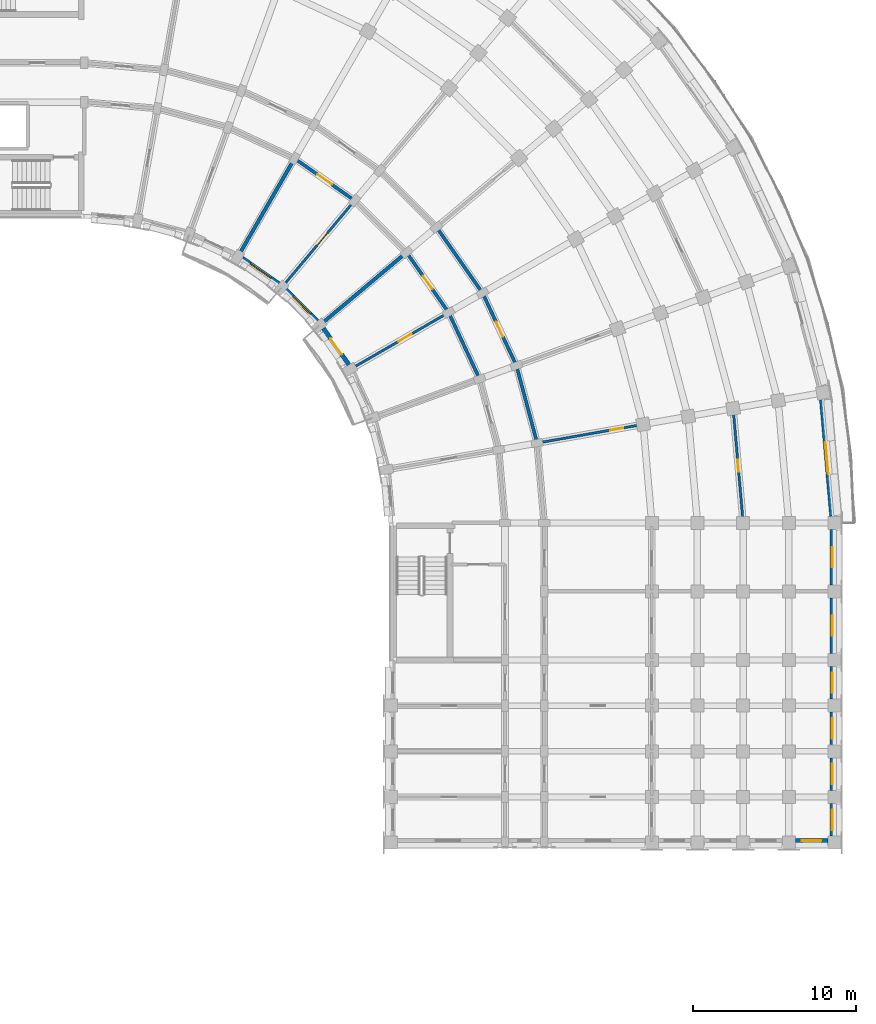
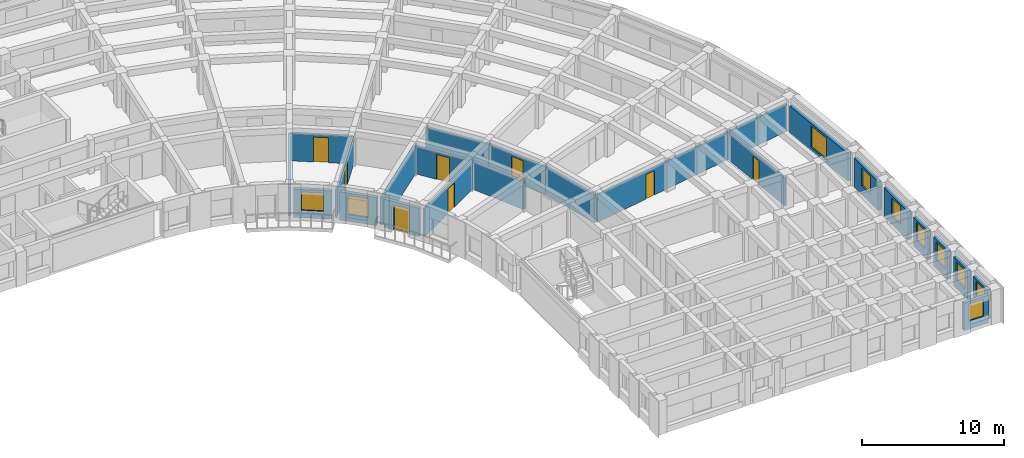
# One storey, part 33 of 54: 23 walls, 10 windows, 8 doors, 18 openings.
"""IFC4 building model written with IfcOpenShell, lengths in metres."""

import ifcopenshell
import ifcopenshell.guid

model = None  # the IFC model being written
_history = None  # IfcOwnerHistory: only IFC2X3 demands one
_inside = {}  # id of a spatial element -> (the spatial element, [elements in it])
_under = {}  # id of a project, library or spatial element -> (it, [spatial elements below it])
_declared = {}  # id of a project -> (the project, [libraries it declares])
_typed = {}  # id of a type object -> (the type object, [elements of that type])
_made_of = {}  # id of a material, layer set ... -> (it, [elements and type objects made of it])


def new_model(schema):
    """Start an empty IFC model of exactly this schema.

    Asked for "IFC4X3", IfcOpenShell would pick the latest addendum, in which some entities
    have other attributes; the version numbers below select the first issue.
    IFC2X3 requires an IfcOwnerHistory on every rooted entity: one is made here for all.
    """
    global model, _history
    if schema == "IFC4X3":
        model = ifcopenshell.file(schema_version=(4, 3, 0, 0))
    else:
        model = ifcopenshell.file(schema=schema)
    _inside.clear()
    _under.clear()
    _declared.clear()
    _typed.clear()
    _made_of.clear()
    _history = None
    if model.schema == "IFC2X3":
        org = make("IfcOrganization", Name="unknown")
        user = make(
            "IfcPersonAndOrganization",
            ThePerson=make("IfcPerson", FamilyName="unknown"),
            TheOrganization=org,
        )
        app = make(
            "IfcApplication",
            ApplicationDeveloper=org,
            Version="unknown",
            ApplicationFullName="unknown",
            ApplicationIdentifier="unknown",
        )
        _history = make(
            "IfcOwnerHistory",
            OwningUser=user,
            OwningApplication=app,
            ChangeAction="ADDED",
            CreationDate=0,
        )
    return model


def make(cls, **values):
    """One entity of the class cls with the attributes given. An attribute that is None is left unset."""
    return model.create_entity(
        cls, **{name: value for name, value in values.items() if value is not None}
    )


def rooted(cls, **values):
    """An entity with a GlobalId (a new one), such as an element, a storey or a relation."""
    return make(cls, GlobalId=ifcopenshell.guid.new(), OwnerHistory=_history, **values)


def si_unit(unit_type, name, prefix=None):
    """IfcSIUnit, for example si_unit("LENGTHUNIT", "METRE", prefix="MILLI")."""
    return make("IfcSIUnit", UnitType=unit_type, Prefix=prefix, Name=name)


def assignment(units):
    """IfcUnitAssignment: the units of a project."""
    return None if units is None else make("IfcUnitAssignment", Units=units)


def point(xyz):
    """IfcCartesianPoint."""
    return None if xyz is None else make("IfcCartesianPoint", Coordinates=xyz)


def direction(xyz):
    """IfcDirection."""
    return None if xyz is None else make("IfcDirection", DirectionRatios=xyz)


def frame(location, z_axis=None, x_axis=None):
    """IfcAxis2Placement3D, a coordinate frame: its origin and axes. An axis left out is left unset."""
    return make(
        "IfcAxis2Placement3D",
        Location=point(location),
        Axis=direction(z_axis),
        RefDirection=direction(x_axis),
    )


def frame_2d(location, x_axis=None):
    """IfcAxis2Placement2D, a coordinate frame in the plane: its origin and x axis."""
    return make(
        "IfcAxis2Placement2D", Location=point(location), RefDirection=direction(x_axis)
    )


def origin():
    """The frame at (0, 0, 0) with its axes left unset."""
    return frame((0.0, 0.0, 0.0))


def place(relative_to, where):
    """IfcLocalPlacement: puts the frame where relative to a parent placement (None: the world)."""
    return make(
        "IfcLocalPlacement", PlacementRelTo=relative_to, RelativePlacement=where
    )


def context(
    kind, dimensions, precision=None, world=None, true_north=None, identifier=None
):
    """IfcGeometricRepresentationContext, for example the 3D "Model" context."""
    return make(
        "IfcGeometricRepresentationContext",
        ContextIdentifier=identifier,
        ContextType=kind,
        CoordinateSpaceDimension=dimensions,
        Precision=precision,
        WorldCoordinateSystem=world,
        TrueNorth=true_north,
    )


def subcontext(parent, identifier, kind, view, scale=None):
    """IfcGeometricRepresentationSubContext, for example "Body" below "Model"."""
    return make(
        "IfcGeometricRepresentationSubContext",
        ContextIdentifier=identifier,
        ContextType=kind,
        ParentContext=parent,
        TargetScale=scale,
        TargetView=view,
    )


def project(units=None, contexts=None):
    """IfcProject with its units and contexts."""
    return rooted(
        "IfcProject",
        Name="project",
        RepresentationContexts=contexts,
        UnitsInContext=assignment(units),
    )


def spatial(cls, under=None, at=None, **own):
    """A site, building, storey or space (cls), placed at a placement, below another one or the project."""
    s = rooted(cls, ObjectPlacement=at, **own)
    if under is not None:
        _under.setdefault(under.id(), (under, []))[1].append(s)
    return s


def profile(cls, at=None, kind="AREA", **sizes):
    """A parametric profile (cls). Its sizes go by their IFC names, for example OverallWidth=200.0."""
    return make(cls, ProfileType=kind, Position=at, **sizes)


def rectangle(**sizes):
    """IfcRectangleProfileDef."""
    return profile("IfcRectangleProfileDef", **sizes)


def extrude(swept, where, along, depth):
    """IfcExtrudedAreaSolid: the profile swept, set in the frame where, extruded along a direction by depth."""
    return make(
        "IfcExtrudedAreaSolid",
        SweptArea=swept,
        Position=where,
        ExtrudedDirection=direction(along),
        Depth=depth,
    )


def shape(context_of_items, identifier, shape_type, items):
    """IfcShapeRepresentation: the items that make up one representation, for example the "Body"."""
    return make(
        "IfcShapeRepresentation",
        ContextOfItems=context_of_items,
        RepresentationIdentifier=identifier,
        RepresentationType=shape_type,
        Items=items,
    )


def material(Name=None, Category=None):
    """IfcMaterial."""
    return make("IfcMaterial", Name=Name, Category=Category)


def layer(
    of_material, thickness, ventilated=None, Name=None, Category=None, Priority=None
):
    """IfcMaterialLayer: one layer of a wall or slab, of a material (None: an air gap)."""
    return make(
        "IfcMaterialLayer",
        Material=of_material,
        LayerThickness=thickness,
        IsVentilated=ventilated,
        Name=Name,
        Category=Category,
        Priority=Priority,
    )


def layer_set(layers, Name=None):
    """IfcMaterialLayerSet."""
    return make("IfcMaterialLayerSet", MaterialLayers=layers, LayerSetName=Name)


def made_of(thing, what):
    """Note that an element or type object is made of a material, layer set ...; save() writes the relation."""
    if what is not None:
        _made_of.setdefault(what.id(), (what, []))[1].append(thing)
    return thing


def type_object(cls, material=None, **own):
    """A type object (cls), such as IfcWallType, which elements share."""
    return made_of(rooted(cls, **own), material)


def element(
    cls,
    number,
    at=None,
    inside=None,
    cuts=None,
    type_object=None,
    material=None,
    context=None,
    identifier="Body",
    shape_type=None,
    held_by="IfcProductDefinitionShape",
    body=None,
    shapes=None,
    **own,
):
    """One element of the class cls, such as IfcWall. Its Tag is "e" and its number.

    at: its placement. inside: the storey or other place that contains it. cuts: it is an
    opening in that element (IfcRelVoidsElement). A single representation is given by context,
    identifier, shape_type and body (its items); several are given by shapes. held_by: the class
    of the entity that holds the representations. save() writes the other relations.
    """
    e = rooted(cls, Tag="e%d" % number, ObjectPlacement=at, **own)
    if body is not None:
        shapes = [shape(context, identifier, shape_type, body)]
    if shapes is not None:
        e.Representation = make(held_by, Representations=shapes)
    if inside is not None:
        _inside.setdefault(inside.id(), (inside, []))[1].append(e)
    if cuts is not None:
        rooted(
            "IfcRelVoidsElement", RelatingBuildingElement=cuts, RelatedOpeningElement=e
        )
    if type_object is not None:
        _typed.setdefault(type_object.id(), (type_object, []))[1].append(e)
    return made_of(e, material)


def fill(opening, filler):
    """IfcRelFillsElement: the door or window that sits in an opening."""
    return rooted(
        "IfcRelFillsElement",
        RelatingOpeningElement=opening,
        RelatedBuildingElement=filler,
    )


def aggregate(whole, parts):
    """IfcRelAggregates: a whole, such as a stair, and the parts it consists of."""
    return rooted("IfcRelAggregates", RelatingObject=whole, RelatedObjects=parts)


def save(model, path):
    """Write the relations noted so far, then the file.

    IfcRelAggregates (storeys below a building ...), IfcRelContainedInSpatialStructure (elements
    in a storey), IfcRelDefinesByType, IfcRelAssociatesMaterial and IfcRelDeclares: one each for
    every whole, place, type object, material and project.
    """
    for whole, parts in _under.values():
        aggregate(whole, parts)
    for where, things in _inside.values():
        rooted(
            "IfcRelContainedInSpatialStructure",
            RelatedElements=things,
            RelatingStructure=where,
        )
    for kind, things in _typed.values():
        rooted("IfcRelDefinesByType", RelatedObjects=things, RelatingType=kind)
    for what, things in _made_of.values():
        rooted("IfcRelAssociatesMaterial", RelatedObjects=things, RelatingMaterial=what)
    for by, libraries in _declared.values():
        rooted("IfcRelDeclares", RelatingContext=by, RelatedDefinitions=libraries)
    model.write(path)


model = new_model("IFC4")

# Units and contexts
model_context = context("Model", 3, precision=1e-05, world=origin(), true_north=direction((0.0, 1.0)))
body_context = subcontext(model_context, "Body", "Model", "MODEL_VIEW")
ifc_project = project(units=[si_unit("LENGTHUNIT", "METRE"), si_unit("AREAUNIT", "SQUARE_METRE"), si_unit("VOLUMEUNIT", "CUBIC_METRE"), si_unit("PLANEANGLEUNIT", "RADIAN"), si_unit("MASSUNIT", "GRAM", prefix="KILO")], contexts=[model_context])

# Site, building, storey
site_placement = place(None, origin())
site = spatial("IfcSite", under=ifc_project, at=site_placement, CompositionType="ELEMENT")
building_placement = place(site_placement, origin())
building = spatial("IfcBuilding", under=site, at=building_placement, Name="Kiranvali Square Residences", CompositionType="ELEMENT")
storey_placement = place(building_placement, frame((0.0, 0.0, 11.85009765625)))
storey = spatial("IfcBuildingStorey", under=building, at=storey_placement, Name="L03", CompositionType="ELEMENT", Elevation=11.85009765625)

# Wall, opening, door
ifc_material_1 = material(Name="Autoclaved aerated concrete blockwork masonry", Category="masonry")
ifc_layer_1 = layer(ifc_material_1, 0.199951171875)
ifc_layer_set_1 = layer_set([ifc_layer_1], Name="Autoclaved aerated concrete blockwork masonry")
wall_type_1 = type_object("IfcWallType", Name="WL-COR-200", PredefinedType="STANDARD", material=ifc_layer_set_1)
wall_1_placement = place(storey_placement, frame((132.699951171875, 110.1435546875, 0.0), z_axis=(0.0, 0.0, 1.0), x_axis=(0.819155404658, -0.573571637217, 0.0)))
wall_1 = element("IfcWall", 1, at=wall_1_placement, inside=storey, type_object=wall_type_1, Name="L03 architectural wall WL-L03-B-CCI-3", PredefinedType="STANDARD", context=body_context, shape_type="SweptSolid", body=[
    extrude(rectangle(XDim=4.497314453125, YDim=0.199951171875, at=frame_2d((2.24853515625, 0.0))), origin(), (0.0, 0.0, 1.0), 2.371826171875),
])
opening_1_placement = place(wall_1_placement, frame((1.708740234375, 0.0, 0.0)))
opening_1 = element("IfcOpeningElement", 2, at=opening_1_placement, cuts=wall_1, Name="Opening FD-APT-60C", PredefinedType="OPENING", context=body_context, shape_type="SweptSolid", body=[
    extrude(rectangle(XDim=1.080078125, YDim=2.14990234375, at=frame_2d((0.5400390625, 1.074951171875))), frame((0.0, 0.10986328125, 0.0), z_axis=(0.0, -1.0, 0.0), x_axis=(1.0, 0.0, 0.0)), (0.0, 0.0, 1.0), 0.219970703125),
])
ifc_material_2 = material(Name="Fire-rated acoustic hardwood and mineral-core door assembly", Category="wood")
door_type_1 = type_object("IfcDoorType", Name="DR-APT-1080", OperationType="NOTDEFINED", PredefinedType="DOOR", material=ifc_material_2)
door_1_placement = place(opening_1_placement, frame((1.080078125, 0.0, 0.0), z_axis=(0.0, 0.0, 1.0), x_axis=(-1.0, 0.0, 0.0)))
door_1 = element("IfcDoor", 3, at=door_1_placement, inside=storey, type_object=door_type_1, Name="L03 door DR-L03-1176 (DR-APT-1080)", OperationType="SINGLE_SWING_RIGHT", OverallHeight=2.14990234375, OverallWidth=1.080078125, PredefinedType="DOOR", context=body_context, shape_type="SweptSolid", body=[
    extrude(rectangle(XDim=1.080078125, YDim=2.14990234375, at=frame_2d((0.5400390625, 1.074951171875))), frame((0.0, 0.02490234375, 0.0), z_axis=(0.0, -1.0, 0.0), x_axis=(1.0, 0.0, 0.0)), (0.0, 0.0, 1.0), 0.050048828125),
])
fill(opening_1, door_1)

wall_2_placement = place(storey_placement, frame((139.56396484375, 104.384033203125, 0.0), z_axis=(0.0, 0.0, 1.0), x_axis=(0.573571637217, -0.819155404658, 0.0)))
wall_2 = element("IfcWall", 4, at=wall_2_placement, inside=storey, type_object=wall_type_1, Name="L03 architectural wall WL-L03-B-CCI-5", PredefinedType="STANDARD", context=body_context, shape_type="SweptSolid", body=[
    extrude(rectangle(XDim=4.497314453125, YDim=0.199951171875, at=frame_2d((2.24853515625, 0.0))), origin(), (0.0, 0.0, 1.0), 2.371826171875),
])
opening_2_placement = place(wall_2_placement, frame((1.74853515625, 0.0, 0.0)))
opening_2 = element("IfcOpeningElement", 5, at=opening_2_placement, cuts=wall_2, Name="Opening FD-APT-60", PredefinedType="OPENING", context=body_context, shape_type="SweptSolid", body=[
    extrude(rectangle(XDim=1.0, YDim=2.14990234375, at=frame_2d((0.5, 1.074951171875))), frame((0.0, 0.10986328125, 0.0), z_axis=(0.0, -1.0, 0.0), x_axis=(1.0, 0.0, 0.0)), (0.0, 0.0, 1.0), 0.219970703125),
])
door_type_2 = type_object("IfcDoorType", Name="DR-APT-1000", OperationType="NOTDEFINED", PredefinedType="DOOR", material=ifc_material_2)
door_2_placement = place(opening_2_placement, origin())
door_2 = element("IfcDoor", 6, at=door_2_placement, inside=storey, type_object=door_type_2, Name="L03 door DR-L03-1177 (DR-APT-1000)", OperationType="SINGLE_SWING_LEFT", OverallHeight=2.14990234375, OverallWidth=1.0, PredefinedType="DOOR", context=body_context, shape_type="SweptSolid", body=[
    extrude(rectangle(XDim=1.0, YDim=2.14990234375, at=frame_2d((0.5, 1.074951171875))), frame((0.0, 0.02490234375, 0.0), z_axis=(0.0, -1.0, 0.0), x_axis=(1.0, 0.0, 0.0)), (0.0, 0.0, 1.0), 0.050048828125),
])
fill(opening_2, door_2)

# Walls
wall_3_placement = place(storey_placement, frame((141.40234375, 105.926513671875, 0.0), z_axis=(0.0, 0.0, 1.0), x_axis=(0.573592335331, -0.819140911474, 0.0)))
element("IfcWall", 7, at=wall_3_placement, inside=storey, type_object=wall_type_1, Name="L03 architectural wall WL-L03-B-CCO-5", PredefinedType="STANDARD", context=body_context, shape_type="SweptSolid", body=[
    extrude(rectangle(XDim=4.915771484375, YDim=0.199951171875, at=frame_2d((2.4580078125, 0.0))), origin(), (0.0, 0.0, 1.0), 2.371826171875),
])
wall_4_placement = place(storey_placement, frame((142.1435546875, 100.699951171875, 0.0), z_axis=(0.0, 0.0, 1.0), x_axis=(0.422617978463, -0.906307919131, 0.0)))
element("IfcWall", 8, at=wall_4_placement, inside=storey, type_object=wall_type_1, Name="L03 architectural wall WL-L03-B-CCI-6", PredefinedType="STANDARD", context=body_context, shape_type="SweptSolid", body=[
    extrude(rectangle(XDim=4.497314453125, YDim=0.199951171875, at=frame_2d((2.24853515625, 0.0))), origin(), (0.0, 0.0, 1.0), 2.371826171875),
])

# Wall, opening, door
wall_5_placement = place(storey_placement, frame((144.221923828125, 101.89990234375, 0.0), z_axis=(0.0, 0.0, 1.0), x_axis=(0.422629854778, -0.906302381024, 0.0)))
wall_5 = element("IfcWall", 9, at=wall_5_placement, inside=storey, type_object=wall_type_1, Name="L03 architectural wall WL-L03-B-CCO-6", PredefinedType="STANDARD", context=body_context, shape_type="SweptSolid", body=[
    extrude(rectangle(XDim=4.915283203125, YDim=0.199951171875, at=frame_2d((2.45751953125, 0.0))), origin(), (0.0, 0.0, 1.0), 2.371826171875),
])
opening_3_placement = place(wall_5_placement, frame((1.957763671875, 0.0, 0.0)))
opening_3 = element("IfcOpeningElement", 10, at=opening_3_placement, cuts=wall_5, Name="Opening FD-APT-60", PredefinedType="OPENING", context=body_context, shape_type="SweptSolid", body=[
    extrude(rectangle(XDim=1.0, YDim=2.14990234375, at=frame_2d((0.5, 1.074951171875))), frame((0.0, 0.10986328125, 0.0), z_axis=(0.0, -1.0, 0.0), x_axis=(1.0, 0.0, 0.0)), (0.0, 0.0, 1.0), 0.219970703125),
])
door_3_placement = place(opening_3_placement, frame((1.0, 0.0, 0.0), z_axis=(0.0, 0.0, 1.0), x_axis=(-1.0, 0.0, 0.0)))
door_3 = element("IfcDoor", 11, at=door_3_placement, inside=storey, type_object=door_type_2, Name="L03 door DR-L03-1172 (DR-APT-1000)", OperationType="SINGLE_SWING_RIGHT", OverallHeight=2.14990234375, OverallWidth=1.0, PredefinedType="DOOR", context=body_context, shape_type="SweptSolid", body=[
    extrude(rectangle(XDim=1.0, YDim=2.14990234375, at=frame_2d((0.5, 1.074951171875))), frame((0.0, 0.02490234375, 0.0), z_axis=(0.0, -1.0, 0.0), x_axis=(1.0, 0.0, 0.0)), (0.0, 0.0, 1.0), 0.050048828125),
])
fill(opening_3, door_3)

# Walls
wall_6_placement = place(storey_placement, frame((146.29931640625, 97.445068359375, 0.0), z_axis=(0.0, 0.0, 1.0), x_axis=(0.258803112091, -0.965930095386, 0.0)))
element("IfcWall", 12, at=wall_6_placement, inside=storey, type_object=wall_type_1, Name="L03 architectural wall WL-L03-B-CCO-7", PredefinedType="STANDARD", context=body_context, shape_type="SweptSolid", body=[
    extrude(rectangle(XDim=4.915771484375, YDim=0.199951171875, at=frame_2d((2.4580078125, 0.0))), origin(), (0.0, 0.0, 1.0), 2.371826171875),
])
ifc_layer_2 = layer(ifc_material_1, 0.219970703125)
ifc_layer_set_2 = layer_set([ifc_layer_2], Name="Autoclaved aerated concrete blockwork masonry")
wall_type_2 = type_object("IfcWallType", Name="WL-DEM-220", PredefinedType="STANDARD", material=ifc_layer_set_2)
for number, where, z_axis, x_axis, name in (
    (13, (129.300048828125, 104.25439453125, 0.0), (0.0, 0.0, 1.0), (0.499997969693, 0.866026575979, 0.0), "L03 architectural wall WL-L03-B-RADI-3"),
    (14, (134.354736328125, 100.012939453125, 0.0), (0.0, 0.0, 1.0), (0.766046761698, 0.642784846501, 0.0), "L03 architectural wall WL-L03-B-RADI-5"),
):
    element("IfcWall", number, at=place(storey_placement, frame(where, z_axis=z_axis, x_axis=x_axis)), inside=storey, type_object=wall_type_2, Name=name, PredefinedType="STANDARD", context=body_context, shape_type="SweptSolid", body=[
        extrude(rectangle(XDim=6.75, YDim=0.219970703125, at=frame_2d((3.375, 0.0))), origin(), (0.0, 0.0, 1.0), 2.371826171875),
    ])

# Wall, opening, window
ifc_material_3 = material(Name="Breathable lime-rendered clay brick masonry", Category="masonry")
ifc_layer_3 = layer(ifc_material_3, 0.27490234375)
ifc_layer_set_3 = layer_set([ifc_layer_3], Name="Breathable lime-rendered clay brick masonry")
wall_type_3 = type_object("IfcWallType", Name="WL-EXT-275", PredefinedType="STANDARD", material=ifc_layer_set_3)
wall_7_placement = place(storey_placement, frame((165.013916015625, 95.351318359375, 0.0), z_axis=(0.0, 0.0, 1.0), x_axis=(0.08713989423, -0.99619608453, 0.0)))
wall_7 = element("IfcWall", 15, at=wall_7_placement, inside=storey, type_object=wall_type_3, Name="L03 exterior wall B-L03-CRV-08", PredefinedType="STANDARD", context=body_context, shape_type="SweptSolid", body=[
    extrude(rectangle(XDim=7.1640625, YDim=0.27490234375, at=frame_2d((3.58203125, 0.0))), origin(), (0.0, 0.0, 1.0), 2.371826171875),
])
opening_4_placement = place(wall_7_placement, frame((2.60693359375, 0.0, 0.322021484375)))
opening_4 = element("IfcOpeningElement", 16, at=opening_4_placement, cuts=wall_7, Name="Opening W-12", PredefinedType="OPENING", context=body_context, shape_type="SweptSolid", body=[
    extrude(rectangle(XDim=1.949951171875, YDim=1.85009765625, at=frame_2d((0.97509765625, 0.925048828125))), frame((0.0, 0.1474609375, 0.0), z_axis=(0.0, -1.0, 0.0), x_axis=(1.0, 0.0, 0.0)), (0.0, 0.0, 1.0), 0.294921875),
])
ifc_material_4 = material(Name="Solar-control low-e double glazing", Category="glass")
window_type_1 = type_object("IfcWindowType", Name="WIN-RES-1950x1850", PartitioningType="DOUBLE_PANEL_VERTICAL", PredefinedType="WINDOW", material=ifc_material_4)
window_1_placement = place(opening_4_placement, origin())
window_1 = element("IfcWindow", 17, at=window_1_placement, inside=storey, type_object=window_type_1, Name="L03 recessed window B-L03-CRV-08", OverallHeight=1.85009765625, OverallWidth=1.949951171875, PartitioningType="DOUBLE_PANEL_VERTICAL", PredefinedType="WINDOW", context=body_context, shape_type="SweptSolid", body=[
    extrude(rectangle(XDim=1.949951171875, YDim=1.85009765625, at=frame_2d((0.97509765625, 0.925048828125))), frame((0.0, 0.030029296875, 0.0), z_axis=(0.0, -1.0, 0.0), x_axis=(1.0, 0.0, 0.0)), (0.0, 0.0, 1.0), 0.06005859375),
])
fill(opening_4, window_1)

wall_8_placement = place(storey_placement, frame((129.5009765625, 104.023193359375, 0.0), z_axis=(0.0, 0.0, 1.0), x_axis=(0.81917282593, -0.573546755948, 0.0)))
wall_8 = element("IfcWall", 18, at=wall_8_placement, inside=storey, type_object=wall_type_3, Name="L03 exterior wall B-L03-GDN-03", PredefinedType="STANDARD", context=body_context, shape_type="SweptSolid", body=[
    extrude(rectangle(XDim=2.717529296875, YDim=0.27490234375, at=frame_2d((1.35888671875, 0.0))), origin(), (0.0, 0.0, 1.0), 2.421875),
])
opening_5_placement = place(wall_8_placement, frame((0.583740234375, 0.0, 0.6220703125)))
opening_5 = element("IfcOpeningElement", 19, at=opening_5_placement, cuts=wall_8, Name="Opening W-18", PredefinedType="OPENING", context=body_context, shape_type="SweptSolid", body=[
    extrude(rectangle(XDim=1.550048828125, YDim=1.60009765625, at=frame_2d((0.77490234375, 0.800048828125))), frame((0.0, 0.1474609375, 0.0), z_axis=(0.0, -1.0, 0.0), x_axis=(1.0, 0.0, 0.0)), (0.0, 0.0, 1.0), 0.294921875),
])
window_type_2 = type_object("IfcWindowType", Name="WIN-GDN-1550x1600", PartitioningType="DOUBLE_PANEL_VERTICAL", PredefinedType="WINDOW", material=ifc_material_4)
window_2_placement = place(opening_5_placement, origin())
window_2 = element("IfcWindow", 20, at=window_2_placement, inside=storey, type_object=window_type_2, Name="L03 recessed window B-L03-GDN-03", OverallHeight=1.60009765625, OverallWidth=1.550048828125, PartitioningType="DOUBLE_PANEL_VERTICAL", PredefinedType="WINDOW", context=body_context, shape_type="SweptSolid", body=[
    extrude(rectangle(XDim=1.550048828125, YDim=1.60009765625, at=frame_2d((0.77490234375, 0.800048828125))), frame((0.0, 0.030029296875, 0.0), z_axis=(0.0, -1.0, 0.0), x_axis=(1.0, 0.0, 0.0)), (0.0, 0.0, 1.0), 0.06005859375),
])
fill(opening_5, window_2)

wall_9_placement = place(storey_placement, frame((132.170654296875, 102.09228515625, 0.0), z_axis=(0.0, 0.0, 1.0), x_axis=(0.707106781187, -0.707106781187, 0.0)))
wall_9 = element("IfcWall", 21, at=wall_9_placement, inside=storey, type_object=wall_type_3, Name="L03 exterior wall B-L03-GDN-04", PredefinedType="STANDARD", context=body_context, shape_type="SweptSolid", body=[
    extrude(rectangle(XDim=2.717529296875, YDim=0.27490234375, at=frame_2d((1.35888671875, 0.0))), origin(), (0.0, 0.0, 1.0), 2.421875),
])
opening_6_placement = place(wall_9_placement, frame((0.608642578125, 0.0, 0.572021484375)))
opening_6 = element("IfcOpeningElement", 22, at=opening_6_placement, cuts=wall_9, Name="Opening W-05", PredefinedType="OPENING", context=body_context, shape_type="SweptSolid", body=[
    extrude(rectangle(XDim=1.5, YDim=1.64990234375, at=frame_2d((0.75, 0.824951171875))), frame((0.0, 0.1474609375, 0.0), z_axis=(0.0, -1.0, 0.0), x_axis=(1.0, 0.0, 0.0)), (0.0, 0.0, 1.0), 0.294921875),
])
window_type_3 = type_object("IfcWindowType", Name="WIN-RES-1500x1650", PartitioningType="DOUBLE_PANEL_VERTICAL", PredefinedType="WINDOW", material=ifc_material_4)
window_3_placement = place(opening_6_placement, origin())
window_3 = element("IfcWindow", 23, at=window_3_placement, inside=storey, type_object=window_type_3, Name="L03 recessed window B-L03-GDN-04", OverallHeight=1.64990234375, OverallWidth=1.5, PartitioningType="DOUBLE_PANEL_VERTICAL", PredefinedType="WINDOW", context=body_context, shape_type="SweptSolid", body=[
    extrude(rectangle(XDim=1.5, YDim=1.64990234375, at=frame_2d((0.75, 0.824951171875))), frame((0.0, 0.030029296875, 0.0), z_axis=(0.0, -1.0, 0.0), x_axis=(1.0, 0.0, 0.0)), (0.0, 0.0, 1.0), 0.06005859375),
])
fill(opening_6, window_3)

# Wall, opening, door
wall_10_placement = place(storey_placement, frame((134.464599609375, 99.72705078125, 0.0), z_axis=(0.0, 0.0, 1.0), x_axis=(0.573546755948, -0.81917282593, 0.0)))
wall_10 = element("IfcWall", 24, at=wall_10_placement, inside=storey, type_object=wall_type_3, Name="L03 exterior wall B-L03-GDN-05", PredefinedType="STANDARD", context=body_context, shape_type="SweptSolid", body=[
    extrude(rectangle(XDim=2.717529296875, YDim=0.27490234375, at=frame_2d((1.35888671875, 0.0))), origin(), (0.0, 0.0, 1.0), 2.421875),
])
opening_7_placement = place(wall_10_placement, frame((0.7587890625, 0.0, 0.0)))
opening_7 = element("IfcOpeningElement", 25, at=opening_7_placement, cuts=wall_10, Name="Opening ED-BAL-1", PredefinedType="OPENING", context=body_context, shape_type="SweptSolid", body=[
    extrude(rectangle(XDim=1.199951171875, YDim=2.14990234375, at=frame_2d((0.60009765625, 1.074951171875))), frame((0.0, 0.1474609375, 0.0), z_axis=(0.0, -1.0, 0.0), x_axis=(1.0, 0.0, 0.0)), (0.0, 0.0, 1.0), 0.294921875),
])
ifc_material_5 = material(Name="Anodised bronze aluminium framing", Category="aluminium")
door_type_3 = type_object("IfcDoorType", Name="DR-BAL-1200", OperationType="NOTDEFINED", PredefinedType="DOOR", material=ifc_material_5)
door_4_placement = place(opening_7_placement, frame((1.199951171875, 0.0, 0.0), z_axis=(0.0, 0.0, 1.0), x_axis=(-1.0, 0.0, 0.0)))
door_4 = element("IfcDoor", 26, at=door_4_placement, inside=storey, type_object=door_type_3, Name="L03 balcony terrace door", OperationType="SINGLE_SWING_RIGHT", OverallHeight=2.14990234375, OverallWidth=1.199951171875, PredefinedType="DOOR", context=body_context, shape_type="SweptSolid", body=[
    extrude(rectangle(XDim=1.199951171875, YDim=2.14990234375, at=frame_2d((0.60009765625, 1.074951171875))), frame((0.0, 0.02490234375, 0.0), z_axis=(0.0, -1.0, 0.0), x_axis=(1.0, 0.0, 0.0)), (0.0, 0.0, 1.0), 0.050048828125),
])
fill(opening_7, door_4)

# Wall, opening, window
wall_11_placement = place(storey_placement, frame((165.675048828125, 87.396484375, 0.0), z_axis=(0.0, 0.0, 1.0), x_axis=(0.0, -1.0, 0.0)))
wall_11 = element("IfcWall", 27, at=wall_11_placement, inside=storey, type_object=wall_type_3, Name="L03 exterior wall B-L03-A2O-0", PredefinedType="STANDARD", context=body_context, shape_type="SweptSolid", body=[
    extrude(rectangle(XDim=3.39306640625, YDim=0.27490234375, at=frame_2d((1.696533203125, 0.0))), origin(), (0.0, 0.0, 1.0), 2.471923828125),
])
opening_8_placement = place(wall_11_placement, frame((1.071533203125, 0.0, 0.721923828125)))
opening_8 = element("IfcOpeningElement", 28, at=opening_8_placement, cuts=wall_11, Name="Opening W-19", PredefinedType="OPENING", context=body_context, shape_type="SweptSolid", body=[
    extrude(rectangle(XDim=1.25, YDim=1.550048828125, at=frame_2d((0.625, 0.77490234375))), frame((0.0, 0.1474609375, 0.0), z_axis=(0.0, -1.0, 0.0), x_axis=(1.0, 0.0, 0.0)), (0.0, 0.0, 1.0), 0.294921875),
])
window_type_4 = type_object("IfcWindowType", Name="WIN-GDN-1250x1550", PartitioningType="SINGLE_PANEL", PredefinedType="WINDOW", material=ifc_material_4)
window_4_placement = place(opening_8_placement, origin())
window_4 = element("IfcWindow", 29, at=window_4_placement, inside=storey, type_object=window_type_4, Name="L03 recessed window B-L03-A2O-0", OverallHeight=1.550048828125, OverallWidth=1.25, PartitioningType="SINGLE_PANEL", PredefinedType="WINDOW", context=body_context, shape_type="SweptSolid", body=[
    extrude(rectangle(XDim=1.25, YDim=1.550048828125, at=frame_2d((0.625, 0.77490234375))), frame((0.0, 0.030029296875, 0.0), z_axis=(0.0, -1.0, 0.0), x_axis=(1.0, 0.0, 0.0)), (0.0, 0.0, 1.0), 0.06005859375),
])
fill(opening_8, window_4)

wall_12_placement = place(storey_placement, frame((165.675048828125, 83.196533203125, 0.0), z_axis=(0.0, 0.0, 1.0), x_axis=(0.0, -1.0, 0.0)))
wall_12 = element("IfcWall", 30, at=wall_12_placement, inside=storey, type_object=wall_type_3, Name="L03 exterior wall B-L03-A2O-1", PredefinedType="STANDARD", context=body_context, shape_type="SweptSolid", body=[
    extrude(rectangle(XDim=3.39306640625, YDim=0.27490234375, at=frame_2d((1.696533203125, 0.0))), origin(), (0.0, 0.0, 1.0), 2.471923828125),
])
opening_9_placement = place(wall_12_placement, frame((1.071533203125, 0.0, 0.721923828125)))
opening_9 = element("IfcOpeningElement", 31, at=opening_9_placement, cuts=wall_12, Name="Opening W-19", PredefinedType="OPENING", context=body_context, shape_type="SweptSolid", body=[
    extrude(rectangle(XDim=1.25, YDim=1.550048828125, at=frame_2d((0.625, 0.77490234375))), frame((0.0, 0.1474609375, 0.0), z_axis=(0.0, -1.0, 0.0), x_axis=(1.0, 0.0, 0.0)), (0.0, 0.0, 1.0), 0.294921875),
])
window_5_placement = place(opening_9_placement, origin())
window_5 = element("IfcWindow", 32, at=window_5_placement, inside=storey, type_object=window_type_4, Name="L03 recessed window B-L03-A2O-1", OverallHeight=1.550048828125, OverallWidth=1.25, PartitioningType="SINGLE_PANEL", PredefinedType="WINDOW", context=body_context, shape_type="SweptSolid", body=[
    extrude(rectangle(XDim=1.25, YDim=1.550048828125, at=frame_2d((0.625, 0.77490234375))), frame((0.0, 0.030029296875, 0.0), z_axis=(0.0, -1.0, 0.0), x_axis=(1.0, 0.0, 0.0)), (0.0, 0.0, 1.0), 0.06005859375),
])
fill(opening_9, window_5)

wall_13_placement = place(storey_placement, frame((165.675048828125, 78.99658203125, 0.0), z_axis=(0.0, 0.0, 1.0), x_axis=(0.0, -1.0, 0.0)))
wall_13 = element("IfcWall", 33, at=wall_13_placement, inside=storey, type_object=wall_type_3, Name="L03 exterior wall B-L03-A2O-2", PredefinedType="STANDARD", context=body_context, shape_type="SweptSolid", body=[
    extrude(rectangle(XDim=1.9931640625, YDim=0.27490234375, at=frame_2d((0.99658203125, 0.0))), origin(), (0.0, 0.0, 1.0), 2.471923828125),
])
opening_10_placement = place(wall_13_placement, frame((0.37158203125, 0.0, 0.721923828125)))
opening_10 = element("IfcOpeningElement", 34, at=opening_10_placement, cuts=wall_13, Name="Opening W-19", PredefinedType="OPENING", context=body_context, shape_type="SweptSolid", body=[
    extrude(rectangle(XDim=1.25, YDim=1.550048828125, at=frame_2d((0.625, 0.77490234375))), frame((0.0, 0.1474609375, 0.0), z_axis=(0.0, -1.0, 0.0), x_axis=(1.0, 0.0, 0.0)), (0.0, 0.0, 1.0), 0.294921875),
])
window_6_placement = place(opening_10_placement, origin())
window_6 = element("IfcWindow", 35, at=window_6_placement, inside=storey, type_object=window_type_4, Name="L03 recessed window B-L03-A2O-2", OverallHeight=1.550048828125, OverallWidth=1.25, PartitioningType="SINGLE_PANEL", PredefinedType="WINDOW", context=body_context, shape_type="SweptSolid", body=[
    extrude(rectangle(XDim=1.25, YDim=1.550048828125, at=frame_2d((0.625, 0.77490234375))), frame((0.0, 0.030029296875, 0.0), z_axis=(0.0, -1.0, 0.0), x_axis=(1.0, 0.0, 0.0)), (0.0, 0.0, 1.0), 0.06005859375),
])
fill(opening_10, window_6)

wall_14_placement = place(storey_placement, frame((165.675048828125, 76.196533203125, 0.0), z_axis=(0.0, 0.0, 1.0), x_axis=(0.0, -1.0, 0.0)))
wall_14 = element("IfcWall", 36, at=wall_14_placement, inside=storey, type_object=wall_type_3, Name="L03 exterior wall B-L03-A2O-3", PredefinedType="STANDARD", context=body_context, shape_type="SweptSolid", body=[
    extrude(rectangle(XDim=1.992919921875, YDim=0.27490234375, at=frame_2d((0.99658203125, 0.0))), origin(), (0.0, 0.0, 1.0), 2.471923828125),
])
opening_11_placement = place(wall_14_placement, frame((0.37158203125, 0.0, 0.721923828125)))
opening_11 = element("IfcOpeningElement", 37, at=opening_11_placement, cuts=wall_14, Name="Opening W-19", PredefinedType="OPENING", context=body_context, shape_type="SweptSolid", body=[
    extrude(rectangle(XDim=1.25, YDim=1.550048828125, at=frame_2d((0.625, 0.77490234375))), frame((0.0, 0.1474609375, 0.0), z_axis=(0.0, -1.0, 0.0), x_axis=(1.0, 0.0, 0.0)), (0.0, 0.0, 1.0), 0.294921875),
])
window_7_placement = place(opening_11_placement, origin())
window_7 = element("IfcWindow", 38, at=window_7_placement, inside=storey, type_object=window_type_4, Name="L03 recessed window B-L03-A2O-3", OverallHeight=1.550048828125, OverallWidth=1.25, PartitioningType="SINGLE_PANEL", PredefinedType="WINDOW", context=body_context, shape_type="SweptSolid", body=[
    extrude(rectangle(XDim=1.25, YDim=1.550048828125, at=frame_2d((0.625, 0.77490234375))), frame((0.0, 0.030029296875, 0.0), z_axis=(0.0, -1.0, 0.0), x_axis=(1.0, 0.0, 0.0)), (0.0, 0.0, 1.0), 0.06005859375),
])
fill(opening_11, window_7)

wall_15_placement = place(storey_placement, frame((165.675048828125, 73.396484375, 0.0), z_axis=(0.0, 0.0, 1.0), x_axis=(0.0, -1.0, 0.0)))
wall_15 = element("IfcWall", 39, at=wall_15_placement, inside=storey, type_object=wall_type_3, Name="L03 exterior wall B-L03-A2O-4", PredefinedType="STANDARD", context=body_context, shape_type="SweptSolid", body=[
    extrude(rectangle(XDim=1.992919921875, YDim=0.27490234375, at=frame_2d((0.99658203125, 0.0))), origin(), (0.0, 0.0, 1.0), 2.471923828125),
])
opening_12_placement = place(wall_15_placement, frame((0.37158203125, 0.0, 0.721923828125)))
opening_12 = element("IfcOpeningElement", 40, at=opening_12_placement, cuts=wall_15, Name="Opening W-19", PredefinedType="OPENING", context=body_context, shape_type="SweptSolid", body=[
    extrude(rectangle(XDim=1.25, YDim=1.550048828125, at=frame_2d((0.625, 0.77490234375))), frame((0.0, 0.1474609375, 0.0), z_axis=(0.0, -1.0, 0.0), x_axis=(1.0, 0.0, 0.0)), (0.0, 0.0, 1.0), 0.294921875),
])
window_8_placement = place(opening_12_placement, origin())
window_8 = element("IfcWindow", 41, at=window_8_placement, inside=storey, type_object=window_type_4, Name="L03 recessed window B-L03-A2O-4", OverallHeight=1.550048828125, OverallWidth=1.25, PartitioningType="SINGLE_PANEL", PredefinedType="WINDOW", context=body_context, shape_type="SweptSolid", body=[
    extrude(rectangle(XDim=1.25, YDim=1.550048828125, at=frame_2d((0.625, 0.77490234375))), frame((0.0, 0.030029296875, 0.0), z_axis=(0.0, -1.0, 0.0), x_axis=(1.0, 0.0, 0.0)), (0.0, 0.0, 1.0), 0.06005859375),
])
fill(opening_12, window_8)

wall_16_placement = place(storey_placement, frame((165.675048828125, 70.596435546875, 0.0), z_axis=(0.0, 0.0, 1.0), x_axis=(0.0, -1.0, 0.0)))
wall_16 = element("IfcWall", 42, at=wall_16_placement, inside=storey, type_object=wall_type_3, Name="L03 exterior wall B-L03-A2O-5", PredefinedType="STANDARD", context=body_context, shape_type="SweptSolid", body=[
    extrude(rectangle(XDim=1.992919921875, YDim=0.27490234375, at=frame_2d((0.99658203125, 0.0))), origin(), (0.0, 0.0, 1.0), 2.471923828125),
])
opening_13_placement = place(wall_16_placement, frame((0.37158203125, 0.0, 0.721923828125)))
opening_13 = element("IfcOpeningElement", 43, at=opening_13_placement, cuts=wall_16, Name="Opening W-19", PredefinedType="OPENING", context=body_context, shape_type="SweptSolid", body=[
    extrude(rectangle(XDim=1.25, YDim=1.550048828125, at=frame_2d((0.625, 0.77490234375))), frame((0.0, 0.1474609375, 0.0), z_axis=(0.0, -1.0, 0.0), x_axis=(1.0, 0.0, 0.0)), (0.0, 0.0, 1.0), 0.294921875),
])
window_9_placement = place(opening_13_placement, origin())
window_9 = element("IfcWindow", 44, at=window_9_placement, inside=storey, type_object=window_type_4, Name="L03 recessed window B-L03-A2O-5", OverallHeight=1.550048828125, OverallWidth=1.25, PartitioningType="SINGLE_PANEL", PredefinedType="WINDOW", context=body_context, shape_type="SweptSolid", body=[
    extrude(rectangle(XDim=1.25, YDim=1.550048828125, at=frame_2d((0.625, 0.77490234375))), frame((0.0, 0.030029296875, 0.0), z_axis=(0.0, -1.0, 0.0), x_axis=(1.0, 0.0, 0.0)), (0.0, 0.0, 1.0), 0.06005859375),
])
fill(opening_13, window_9)

wall_17_placement = place(storey_placement, frame((163.403564453125, 68.324951171875, 0.0), z_axis=(0.0, 0.0, 1.0), x_axis=(1.0, 0.0, 0.0)))
wall_17 = element("IfcWall", 45, at=wall_17_placement, inside=storey, type_object=wall_type_3, Name="L03 exterior wall B-L03-A2END-6", PredefinedType="STANDARD", context=body_context, shape_type="SweptSolid", body=[
    extrude(rectangle(XDim=1.992919921875, YDim=0.27490234375, at=frame_2d((0.99658203125, 0.0))), origin(), (0.0, 0.0, 1.0), 2.371826171875),
])
opening_14_placement = place(wall_17_placement, frame((0.396484375, 0.0, 0.672119140625)))
opening_14 = element("IfcOpeningElement", 46, at=opening_14_placement, cuts=wall_17, Name="Opening W-06", PredefinedType="OPENING", context=body_context, shape_type="SweptSolid", body=[
    extrude(rectangle(XDim=1.199951171875, YDim=1.5, at=frame_2d((0.60009765625, 0.75))), frame((0.0, 0.1474609375, 0.0), z_axis=(0.0, -1.0, 0.0), x_axis=(1.0, 0.0, 0.0)), (0.0, 0.0, 1.0), 0.294921875),
])
window_type_5 = type_object("IfcWindowType", Name="WIN-RES-1200x1500", PartitioningType="SINGLE_PANEL", PredefinedType="WINDOW", material=ifc_material_4)
window_10_placement = place(opening_14_placement, origin())
window_10 = element("IfcWindow", 47, at=window_10_placement, inside=storey, type_object=window_type_5, Name="L03 recessed window B-L03-A2END-6", OverallHeight=1.5, OverallWidth=1.199951171875, PartitioningType="SINGLE_PANEL", PredefinedType="WINDOW", context=body_context, shape_type="SweptSolid", body=[
    extrude(rectangle(XDim=1.199951171875, YDim=1.5, at=frame_2d((0.60009765625, 0.75))), frame((0.0, 0.030029296875, 0.0), z_axis=(0.0, -1.0, 0.0), x_axis=(1.0, 0.0, 0.0)), (0.0, 0.0, 1.0), 0.06005859375),
])
fill(opening_14, window_10)

# Wall, opening, door
ifc_material_6 = material(Name="Acoustic gypsum board drylined partition", Category="gypsum")
ifc_layer_4 = layer(ifc_material_6, 0.14990234375)
ifc_layer_set_4 = layer_set([ifc_layer_4], Name="Acoustic gypsum board drylined partition")
wall_type_4 = type_object("IfcWallType", Name="WL-PRT-150", PredefinedType="PARTITIONING", material=ifc_layer_set_4)
wall_18_placement = place(storey_placement, frame((132.012939453125, 102.354736328125, 0.0), z_axis=(0.0, 0.0, 1.0), x_axis=(0.642784846501, 0.766046761698, 0.0)))
wall_18 = element("IfcWall", 48, at=wall_18_placement, inside=storey, type_object=wall_type_4, Name="L03 architectural wall WL-L03-B-RADI-4", PredefinedType="PARTITIONING", context=body_context, shape_type="SweptSolid", body=[
    extrude(rectangle(XDim=6.75, YDim=0.14990234375, at=frame_2d((3.375, 0.0))), origin(), (0.0, 0.0, 1.0), 2.371826171875),
])
opening_15_placement = place(wall_18_placement, frame((3.222412109375, 0.0, 0.0)))
opening_15 = element("IfcOpeningElement", 49, at=opening_15_placement, cuts=wall_18, Name="Opening ID-3", PredefinedType="OPENING", context=body_context, shape_type="SweptSolid", body=[
    extrude(rectangle(XDim=0.97998046875, YDim=2.1201171875, at=frame_2d((0.489990234375, 1.06005859375))), frame((0.0, 0.0849609375, 0.0), z_axis=(0.0, -1.0, 0.0), x_axis=(1.0, 0.0, 0.0)), (0.0, 0.0, 1.0), 0.169921875),
])
ifc_material_7 = material(Name="Solid seasoned teak hardwood joinery", Category="wood")
door_type_4 = type_object("IfcDoorType", Name="DR-INT-980", OperationType="NOTDEFINED", PredefinedType="DOOR", material=ifc_material_7)
door_5_placement = place(opening_15_placement, origin())
door_5 = element("IfcDoor", 50, at=door_5_placement, inside=storey, type_object=door_type_4, Name="L03 door DR-L03-1159 (DR-INT-980)", OperationType="SINGLE_SWING_LEFT", OverallHeight=2.1201171875, OverallWidth=0.97998046875, PredefinedType="DOOR", context=body_context, shape_type="SweptSolid", body=[
    extrude(rectangle(XDim=0.97998046875, YDim=2.1201171875, at=frame_2d((0.489990234375, 1.06005859375))), frame((0.0, 0.02490234375, 0.0), z_axis=(0.0, -1.0, 0.0), x_axis=(1.0, 0.0, 0.0)), (0.0, 0.0, 1.0), 0.050048828125),
])
fill(opening_15, door_5)

wall_19_placement = place(storey_placement, frame((136.25439453125, 97.300048828125, 0.0), z_axis=(0.0, 0.0, 1.0), x_axis=(0.866026575979, 0.499997969693, 0.0)))
wall_19 = element("IfcWall", 51, at=wall_19_placement, inside=storey, type_object=wall_type_4, Name="L03 architectural wall WL-L03-B-RADI-6", PredefinedType="PARTITIONING", context=body_context, shape_type="SweptSolid", body=[
    extrude(rectangle(XDim=6.75, YDim=0.14990234375, at=frame_2d((3.375, 0.0))), origin(), (0.0, 0.0, 1.0), 2.371826171875),
])
opening_16_placement = place(wall_19_placement, frame((3.242431640625, 0.0, 0.0)))
opening_16 = element("IfcOpeningElement", 52, at=opening_16_placement, cuts=wall_19, Name="Opening ID-2", PredefinedType="OPENING", context=body_context, shape_type="SweptSolid", body=[
    extrude(rectangle(XDim=0.93994140625, YDim=2.10009765625, at=frame_2d((0.469970703125, 1.050048828125))), frame((0.0, 0.0849609375, 0.0), z_axis=(0.0, -1.0, 0.0), x_axis=(1.0, 0.0, 0.0)), (0.0, 0.0, 1.0), 0.169921875),
])
door_type_5 = type_object("IfcDoorType", Name="DR-INT-940", OperationType="NOTDEFINED", PredefinedType="DOOR", material=ifc_material_7)
door_6_placement = place(opening_16_placement, frame((0.93994140625, 0.0, 0.0), z_axis=(0.0, 0.0, 1.0), x_axis=(-1.0, 0.0, 0.0)))
door_6 = element("IfcDoor", 53, at=door_6_placement, inside=storey, type_object=door_type_5, Name="L03 door DR-L03-1162 (DR-INT-940)", OperationType="SINGLE_SWING_RIGHT", OverallHeight=2.10009765625, OverallWidth=0.93994140625, PredefinedType="DOOR", context=body_context, shape_type="SweptSolid", body=[
    extrude(rectangle(XDim=0.93994140625, YDim=2.10009765625, at=frame_2d((0.469970703125, 1.050048828125))), frame((0.0, 0.02490234375, 0.0), z_axis=(0.0, -1.0, 0.0), x_axis=(1.0, 0.0, 0.0)), (0.0, 0.0, 1.0), 0.050048828125),
])
fill(opening_16, door_6)

wall_20_placement = place(storey_placement, frame((147.670166015625, 92.71435546875, 0.0), z_axis=(0.0, 0.0, 1.0), x_axis=(0.984808098809, 0.173646216546, 0.0)))
wall_20 = element("IfcWall", 54, at=wall_20_placement, inside=storey, type_object=wall_type_4, Name="L03 architectural wall WL-L03-B-RADO-8", PredefinedType="PARTITIONING", context=body_context, shape_type="SweptSolid", body=[
    extrude(rectangle(XDim=17.419921875, YDim=0.14990234375, at=frame_2d((8.7099609375, 0.0))), origin(), (0.0, 0.0, 1.0), 2.371826171875),
])
opening_17_placement = place(wall_20_placement, frame((4.44970703125, 0.0, 0.0)))
opening_17 = element("IfcOpeningElement", 55, at=opening_17_placement, cuts=wall_20, Name="Opening ID-WET", PredefinedType="OPENING", context=body_context, shape_type="SweptSolid", body=[
    extrude(rectangle(XDim=0.800048828125, YDim=2.10009765625, at=frame_2d((0.39990234375, 1.050048828125))), frame((0.0, 0.0849609375, 0.0), z_axis=(0.0, -1.0, 0.0), x_axis=(1.0, 0.0, 0.0)), (0.0, 0.0, 1.0), 0.169921875),
])
door_type_6 = type_object("IfcDoorType", Name="DR-WET-800", OperationType="NOTDEFINED", PredefinedType="DOOR", material=ifc_material_7)
door_7_placement = place(opening_17_placement, origin())
door_7 = element("IfcDoor", 56, at=door_7_placement, inside=storey, type_object=door_type_6, Name="L03 door DR-L03-1165 (DR-WET-800)", OperationType="SINGLE_SWING_LEFT", OverallHeight=2.10009765625, OverallWidth=0.800048828125, PredefinedType="DOOR", context=body_context, shape_type="SweptSolid", body=[
    extrude(rectangle(XDim=0.800048828125, YDim=2.10009765625, at=frame_2d((0.39990234375, 1.050048828125))), frame((0.0, 0.02490234375, 0.0), z_axis=(0.0, -1.0, 0.0), x_axis=(1.0, 0.0, 0.0)), (0.0, 0.0, 1.0), 0.050048828125),
])
fill(opening_17, door_7)

ifc_layer_5 = layer(ifc_material_1, 0.14990234375)
ifc_layer_set_5 = layer_set([ifc_layer_5], Name="Autoclaved aerated concrete blockwork masonry")
wall_type_5 = type_object("IfcWallType", Name="WL-WET-150", PredefinedType="PLUMBINGWALL", material=ifc_layer_set_5)
wall_21_placement = place(storey_placement, frame((159.586181640625, 94.8154296875, 0.0), z_axis=(0.0, 0.0, 1.0), x_axis=(0.087156198737, -0.996194658198, 0.0)))
wall_21 = element("IfcWall", 57, at=wall_21_placement, inside=storey, type_object=wall_type_5, Name="L03 architectural wall WL-L03-B-CWET-8", PredefinedType="PLUMBINGWALL", context=body_context, shape_type="SweptSolid", body=[
    extrude(rectangle(XDim=7.042236328125, YDim=0.14990234375, at=frame_2d((3.52099609375, 0.0))), origin(), (0.0, 0.0, 1.0), 2.371826171875),
])
opening_18_placement = place(wall_21_placement, frame((3.14111328125, 0.0, 0.0)))
opening_18 = element("IfcOpeningElement", 58, at=opening_18_placement, cuts=wall_21, Name="Opening ID-WET0", PredefinedType="OPENING", context=body_context, shape_type="SweptSolid", body=[
    extrude(rectangle(XDim=0.760009765625, YDim=2.050048828125, at=frame_2d((0.3798828125, 1.02490234375))), frame((0.0, 0.0849609375, 0.0), z_axis=(0.0, -1.0, 0.0), x_axis=(1.0, 0.0, 0.0)), (0.0, 0.0, 1.0), 0.169921875),
])
door_type_7 = type_object("IfcDoorType", Name="DR-WET-760", OperationType="NOTDEFINED", PredefinedType="DOOR", material=ifc_material_7)
door_8_placement = place(opening_18_placement, frame((0.760009765625, 0.0, 0.0), z_axis=(0.0, 0.0, 1.0), x_axis=(-1.0, 0.0, 0.0)))
door_8 = element("IfcDoor", 59, at=door_8_placement, inside=storey, type_object=door_type_7, Name="L03 door DR-L03-1174 (DR-WET-760)", OperationType="SINGLE_SWING_RIGHT", OverallHeight=2.050048828125, OverallWidth=0.760009765625, PredefinedType="DOOR", context=body_context, shape_type="SweptSolid", body=[
    extrude(rectangle(XDim=0.760009765625, YDim=2.050048828125, at=frame_2d((0.3798828125, 1.02490234375))), frame((0.0, 0.02490234375, 0.0), z_axis=(0.0, -1.0, 0.0), x_axis=(1.0, 0.0, 0.0)), (0.0, 0.0, 1.0), 0.050048828125),
])
fill(opening_18, door_8)

save(model, "model.ifc")
